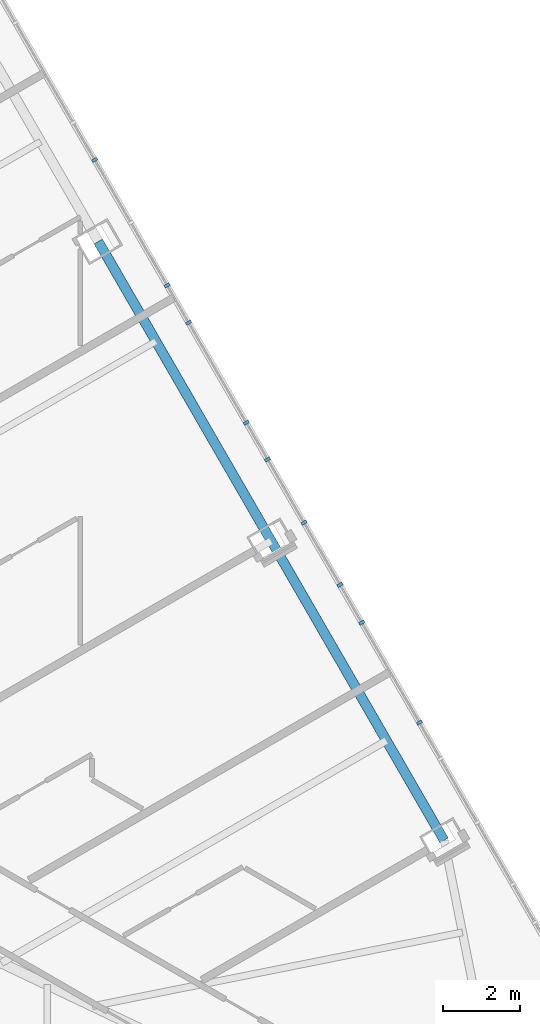
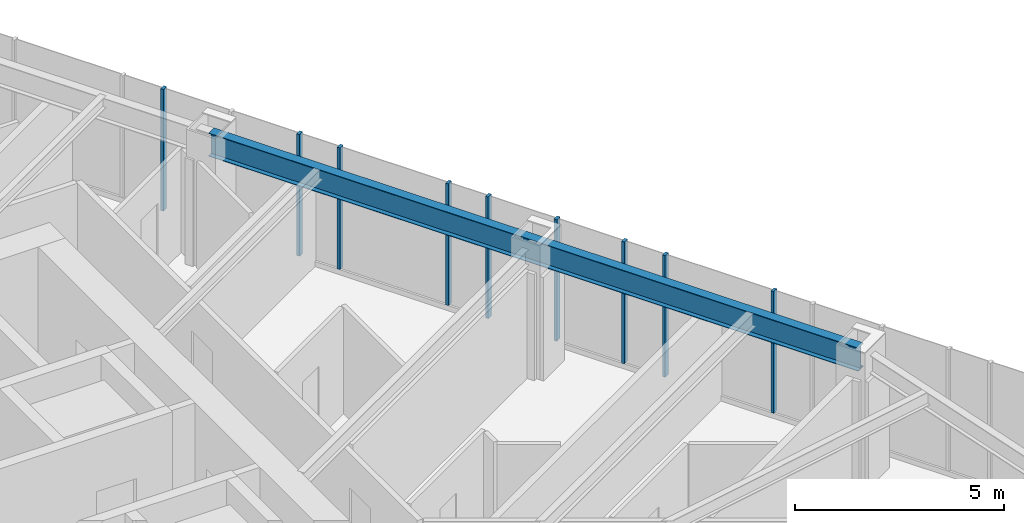
# One storey, part 10 of 26: 9 members, 1 beam, 1 element without a shape of its own.
"""IFC4 building model written with IfcOpenShell, lengths in metres."""

from ifc_helpers import new_model, si_unit, direction, frame, origin, origin_2d, place, context, subcontext, project, spatial, rectangle, i_section, extrude, material, layer, layer_set, material_profile, profile_set, type_object, element, aggregate, save


model = new_model("IFC4")

# Units and contexts
model_context = context("Model", 3, precision=1e-05, world=origin(), true_north=direction((0.0, 1.0)))
body_context = subcontext(model_context, "Body", "Model", "MODEL_VIEW")
ifc_project = project(units=[si_unit("LENGTHUNIT", "METRE"), si_unit("AREAUNIT", "SQUARE_METRE"), si_unit("VOLUMEUNIT", "CUBIC_METRE"), si_unit("PLANEANGLEUNIT", "RADIAN"), si_unit("MASSUNIT", "GRAM", prefix="KILO")], contexts=[model_context])

# Site, building, storey
site_placement = place(None, origin())
site = spatial("IfcSite", under=ifc_project, at=site_placement, CompositionType="ELEMENT")
building_placement = place(site_placement, origin())
building = spatial("IfcBuilding", under=site, at=building_placement, Name="Firuza Gate Tower and Library", CompositionType="ELEMENT")
storey_placement = place(building_placement, frame((0.0, 0.0, 175.300048828125)))
storey = spatial("IfcBuildingStorey", under=building, at=storey_placement, Name="L40", CompositionType="ELEMENT", Elevation=175.300048828125)

# Curtain wall, members
ifc_material_1 = material(Name="Aluminium 6063-T6", Category="aluminium")
ifc_layer = layer(ifc_material_1, 0.14990234375)
ifc_layer_set = layer_set([ifc_layer], Name="Unitised curtain wall, hotel")
curtain_wall_type = type_object("IfcCurtainWallType", Name="Unitised curtain wall, hotel", PredefinedType="NOTDEFINED", material=ifc_layer_set)
curtain_wall_placement = place(storey_placement, origin())
curtain_wall = element("IfcCurtainWall", 1, at=curtain_wall_placement, inside=storey, type_object=curtain_wall_type, Name="CW2 L40 E face", PredefinedType="NOTDEFINED")
ifc_material_2 = material(Name="Aluminium 6063-T6", Category="aluminium")
ifc_material_profile_1 = material_profile(ifc_material_2, rectangle(XDim=0.14990234375, YDim=0.080078125, at=origin_2d()))
ifc_profile_set_1 = profile_set([ifc_material_profile_1], Name="Aluminium 6063-T6")
member_type = type_object("IfcMemberType", Name="Curtain wall mullion 80x150", PredefinedType="MULLION", material=ifc_profile_set_1)
member_1_placement = place(storey_placement, frame((99.588134765625, 71.9208984375, 0.14990234375), z_axis=(0.0, 0.0, 1.0), x_axis=(-0.866025403784, -0.5, 0.0)))
member_1 = element("IfcMember", 2, at=member_1_placement, type_object=member_type, Name="Mullion", PredefinedType="MULLION", context=body_context, shape_type="SweptSolid", body=[
    extrude(rectangle(XDim=0.14990234375, YDim=0.080078125, at=origin_2d()), origin(), (0.0, 0.0, 1.0), 3.550048828125),
])
member_2_placement = place(storey_placement, frame((98.092041015625, 74.51220703125, 0.14990234375), z_axis=(0.0, 0.0, 1.0), x_axis=(-0.866025403784, -0.5, 0.0)))
member_2 = element("IfcMember", 3, at=member_2_placement, type_object=member_type, Name="Mullion", PredefinedType="MULLION", context=body_context, shape_type="SweptSolid", body=[
    extrude(rectangle(XDim=0.14990234375, YDim=0.080078125, at=origin_2d()), origin(), (0.0, 0.0, 1.0), 3.550048828125),
])
member_3_placement = place(storey_placement, frame((96.595947265625, 77.103515625, 0.14990234375), z_axis=(0.0, 0.0, 1.0), x_axis=(-0.866025403784, -0.5, 0.0)))
member_3 = element("IfcMember", 4, at=member_3_placement, type_object=member_type, Name="Mullion", PredefinedType="MULLION", context=body_context, shape_type="SweptSolid", body=[
    extrude(rectangle(XDim=0.14990234375, YDim=0.080078125, at=origin_2d()), origin(), (0.0, 0.0, 1.0), 3.550048828125),
])
member_4_placement = place(storey_placement, frame((95.099853515625, 79.69482421875, 0.14990234375), z_axis=(0.0, 0.0, 1.0), x_axis=(-0.866025403784, -0.5, 0.0)))
member_4 = element("IfcMember", 5, at=member_4_placement, type_object=member_type, Name="Mullion", PredefinedType="MULLION", context=body_context, shape_type="SweptSolid", body=[
    extrude(rectangle(XDim=0.14990234375, YDim=0.080078125, at=origin_2d()), origin(), (0.0, 0.0, 1.0), 3.550048828125),
])
member_5_placement = place(storey_placement, frame((93.60400390625, 82.285888671875, 0.14990234375), z_axis=(0.0, 0.0, 1.0), x_axis=(-0.866025403784, -0.5, 0.0)))
member_5 = element("IfcMember", 6, at=member_5_placement, type_object=member_type, Name="Mullion", PredefinedType="MULLION", context=body_context, shape_type="SweptSolid", body=[
    extrude(rectangle(XDim=0.14990234375, YDim=0.080078125, at=origin_2d()), origin(), (0.0, 0.0, 1.0), 3.550048828125),
])
member_6_placement = place(storey_placement, frame((97.52783203125, 75.489501953125, 0.14990234375), z_axis=(0.0, 0.0, 1.0), x_axis=(-0.866025403784, -0.5, 0.0)))
member_6 = element("IfcMember", 7, at=member_6_placement, type_object=member_type, Name="Mullion", PredefinedType="MULLION", context=body_context, shape_type="SweptSolid", body=[
    extrude(rectangle(XDim=0.14990234375, YDim=0.080078125, at=origin_2d()), origin(), (0.0, 0.0, 1.0), 3.550048828125),
])
member_7_placement = place(storey_placement, frame((95.64990234375, 78.742431640625, 0.14990234375), z_axis=(0.0, 0.0, 1.0), x_axis=(-0.866025403784, -0.5, 0.0)))
member_7 = element("IfcMember", 8, at=member_7_placement, type_object=member_type, Name="Mullion", PredefinedType="MULLION", context=body_context, shape_type="SweptSolid", body=[
    extrude(rectangle(XDim=0.14990234375, YDim=0.080078125, at=origin_2d()), origin(), (0.0, 0.0, 1.0), 3.550048828125),
])
member_8_placement = place(storey_placement, frame((93.046875, 83.250732421875, 0.14990234375), z_axis=(0.0, 0.0, 1.0), x_axis=(-0.866025403784, -0.5, 0.0)))
member_8 = element("IfcMember", 9, at=member_8_placement, type_object=member_type, Name="Mullion", PredefinedType="MULLION", context=body_context, shape_type="SweptSolid", body=[
    extrude(rectangle(XDim=0.14990234375, YDim=0.080078125, at=origin_2d()), origin(), (0.0, 0.0, 1.0), 3.550048828125),
])
member_9_placement = place(storey_placement, frame((91.1689453125, 86.503662109375, 0.14990234375), z_axis=(0.0, 0.0, 1.0), x_axis=(-0.866025403784, -0.5, 0.0)))
member_9 = element("IfcMember", 10, at=member_9_placement, type_object=member_type, Name="Mullion", PredefinedType="MULLION", context=body_context, shape_type="SweptSolid", body=[
    extrude(rectangle(XDim=0.14990234375, YDim=0.080078125, at=origin_2d()), origin(), (0.0, 0.0, 1.0), 3.550048828125),
])
aggregate(curtain_wall, [member_1, member_2, member_3, member_4, member_5, member_6, member_7, member_8, member_9])

# Beam
ifc_material_3 = material(Name="Steel S355", Category="steel")
ifc_material_profile_2 = material_profile(ifc_material_3, i_section(OverallWidth=0.2529296875, OverallDepth=0.677978515625, WebThickness=0.01171875, FlangeThickness=0.016357421875, at=origin_2d()))
ifc_profile_set_2 = profile_set([ifc_material_profile_2], Name="Steel S355")
beam_type = type_object("IfcBeamType", Name="W690x125 Edge beam", PredefinedType="SPANDREL", material=ifc_profile_set_2)
beam_placement = place(storey_placement, frame((100.225341796875, 68.8671875, 3.36083984375), z_axis=(-0.500000713928, 0.866024991597, 0.0), x_axis=(-0.866024991597, -0.500000713928, 0.0)))
element("IfcBeam", 11, at=beam_placement, inside=storey, type_object=beam_type, Name="Edge beam L40 e50", PredefinedType="SPANDREL", context=body_context, shape_type="SweptSolid", body=[
    extrude(i_section(OverallWidth=0.2529296875, OverallDepth=0.677978515625, WebThickness=0.01171875, FlangeThickness=0.016357421875, at=origin_2d()), origin(), (0.0, 0.0, 1.0), 17.923828125),
])

save(model, "model.ifc")
